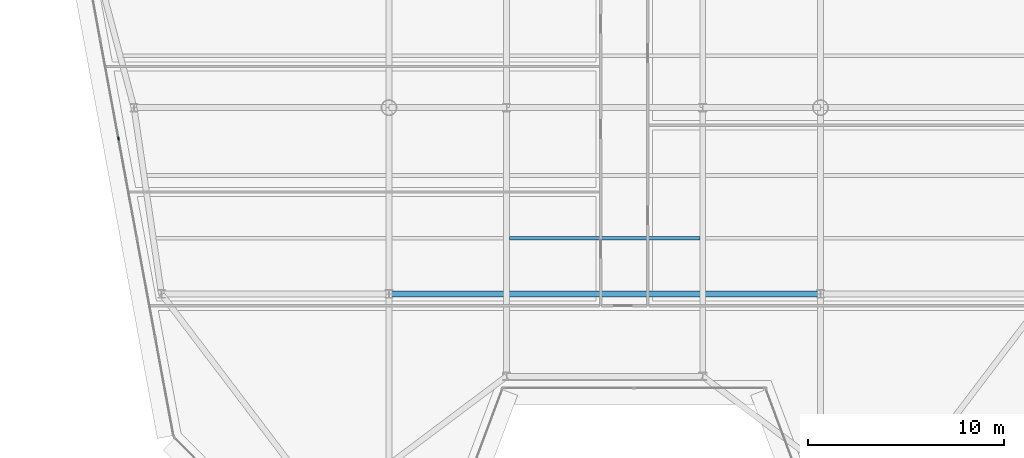
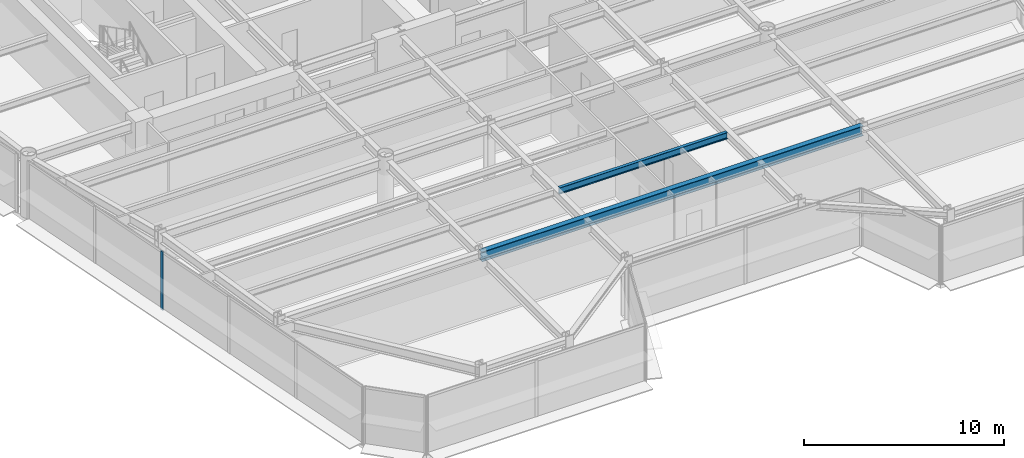
# One storey, part 3 of 16: 2 beams, 1 member, 1 element without a shape of its own.
"""IFC4 building model written with IfcOpenShell, lengths in metres."""

from ifc_helpers import new_model, si_unit, direction, frame, origin, origin_2d, place, context, subcontext, project, spatial, rectangle, i_section, extrude, source, transform, mapped, material, layer, layer_set, material_profile, profile_set, type_object, element, aggregate, save


model = new_model("IFC4")

# Units and contexts
model_context = context("Model", 3, precision=1e-05, world=origin(), true_north=direction((0.0, 1.0)))
body_context = subcontext(model_context, "Body", "Model", "MODEL_VIEW")
ifc_project = project(units=[si_unit("LENGTHUNIT", "METRE"), si_unit("AREAUNIT", "SQUARE_METRE"), si_unit("VOLUMEUNIT", "CUBIC_METRE"), si_unit("PLANEANGLEUNIT", "RADIAN"), si_unit("MASSUNIT", "GRAM", prefix="KILO")], contexts=[model_context])

# Site, building, storey
site_placement = place(None, origin())
site = spatial("IfcSite", under=ifc_project, at=site_placement, CompositionType="ELEMENT")
building_placement = place(site_placement, origin())
building = spatial("IfcBuilding", under=site, at=building_placement, Name="Vaeldorn Concourse Tower", CompositionType="ELEMENT")
storey_placement = place(building_placement, frame((0.0, 0.0, 223.199951171875)))
storey = spatial("IfcBuildingStorey", under=building, at=storey_placement, Name="L57", CompositionType="ELEMENT", Elevation=223.199951171875)

# Beams
ifc_material_1 = material(Name="Steel S355", Category="steel")
ifc_material_profile_1 = material_profile(ifc_material_1, i_section(OverallWidth=0.300048828125, OverallDepth=0.60009765625, WebThickness=0.015380859375, FlangeThickness=0.030029296875, FilletRadius=0.027099609375, at=origin_2d()), Name="HEB 600")
ifc_profile_set_1 = profile_set([ifc_material_profile_1], Name="Steel S355")
beam_type_1 = type_object("IfcBeamType", Name="BM-PG-HEB600", PredefinedType="BEAM", material=ifc_profile_set_1)
shared_shape_1 = source(origin(), body_context, "Body", "SweptSolid", [
    extrude(i_section(OverallWidth=0.300048828125, OverallDepth=0.60009765625, WebThickness=0.015380859375, FlangeThickness=0.030029296875, FilletRadius=0.027099609375, at=origin_2d()), origin(), (0.0, 0.0, 1.0), 22.0),
])
beam_1_placement = place(storey_placement, frame((23.0, 18.0, 3.280029296875), z_axis=(1.0, 0.0, 0.0), x_axis=(0.0, 1.0, 0.0)))
element("IfcBeam", 1, at=beam_1_placement, inside=storey, type_object=beam_type_1, Name="Beam BM-L57-C-TW5-C-TW6", PredefinedType="BEAM", context=body_context, shape_type="MappedRepresentation", body=[
    mapped(shared_shape_1, transform((0.0, 0.0, 0.0), scale=1.0)),
])
ifc_material_profile_2 = material_profile(ifc_material_1, i_section(OverallWidth=0.179931640625, OverallDepth=0.39990234375, WebThickness=0.008544921875, FlangeThickness=0.013427734375, FilletRadius=0.02099609375, at=origin_2d()), Name="IPE 400")
ifc_profile_set_2 = profile_set([ifc_material_profile_2], Name="Steel S355")
beam_type_2 = type_object("IfcBeamType", Name="BM-JS-IPE400", PredefinedType="JOIST", material=ifc_profile_set_2)
shared_shape_2 = source(origin(), body_context, "Body", "SweptSolid", [
    extrude(i_section(OverallWidth=0.179931640625, OverallDepth=0.39990234375, WebThickness=0.008544921875, FlangeThickness=0.013427734375, FilletRadius=0.02099609375, at=origin_2d()), origin(), (0.0, 0.0, 1.0), 9.7001953125),
])
beam_2_placement = place(storey_placement, frame((29.14990234375, 20.840087890625, 3.380126953125), z_axis=(1.0, 0.0, 0.0), x_axis=(0.0, 1.0, 0.0)))
element("IfcBeam", 2, at=beam_2_placement, inside=storey, type_object=beam_type_2, Name="Beam JS-L57-C-208", PredefinedType="JOIST", context=body_context, shape_type="MappedRepresentation", body=[
    mapped(shared_shape_2, transform((0.0, 0.0, 0.0), scale=1.0)),
])

# Curtain wall, member
ifc_material_2 = material(Name="Anodised Bronze Aluminium", Category="aluminium")
ifc_layer = layer(ifc_material_2, 0.179931640625)
ifc_layer_set = layer_set([ifc_layer], Name="Anodised Bronze Aluminium")
curtain_wall_type = type_object("IfcCurtainWallType", Name="CW-SYS-05", PredefinedType="NOTDEFINED", material=ifc_layer_set)
curtain_wall_placement = place(storey_placement, origin())
curtain_wall = element("IfcCurtainWall", 3, at=curtain_wall_placement, inside=storey, type_object=curtain_wall_type, Name="Unitised Curtain Wall CW-L57-E11-2", PredefinedType="NOTDEFINED")
ifc_material_profile_3 = material_profile(ifc_material_2, rectangle(XDim=0.06494140625, YDim=0.169921875, at=origin_2d()), Name="CWM 65x170")
ifc_profile_set_3 = profile_set([ifc_material_profile_3], Name="Anodised Bronze Aluminium")
member_type = type_object("IfcMemberType", Name="CWM-BRONZE-170", PredefinedType="MULLION", material=ifc_profile_set_3)
shared_shape_3 = source(origin(), body_context, "Body", "SweptSolid", [
    extrude(rectangle(XDim=0.06494140625, YDim=0.169921875, at=origin_2d()), origin(), (0.0, 0.0, 1.0), 3.580078125),
])
member_placement = place(storey_placement, frame((9.2119140625, 25.93017578125, 0.0), z_axis=(0.0, 0.0, 1.0), x_axis=(0.983319079021, 0.181888946432, 0.0)))
member = element("IfcMember", 4, at=member_placement, type_object=member_type, Name="CW-05 mullion 3", PredefinedType="MULLION", context=body_context, shape_type="MappedRepresentation", body=[
    mapped(shared_shape_3, transform((0.0, 0.0, 0.0), scale=1.0)),
])
aggregate(curtain_wall, [member])

save(model, "model.ifc")
